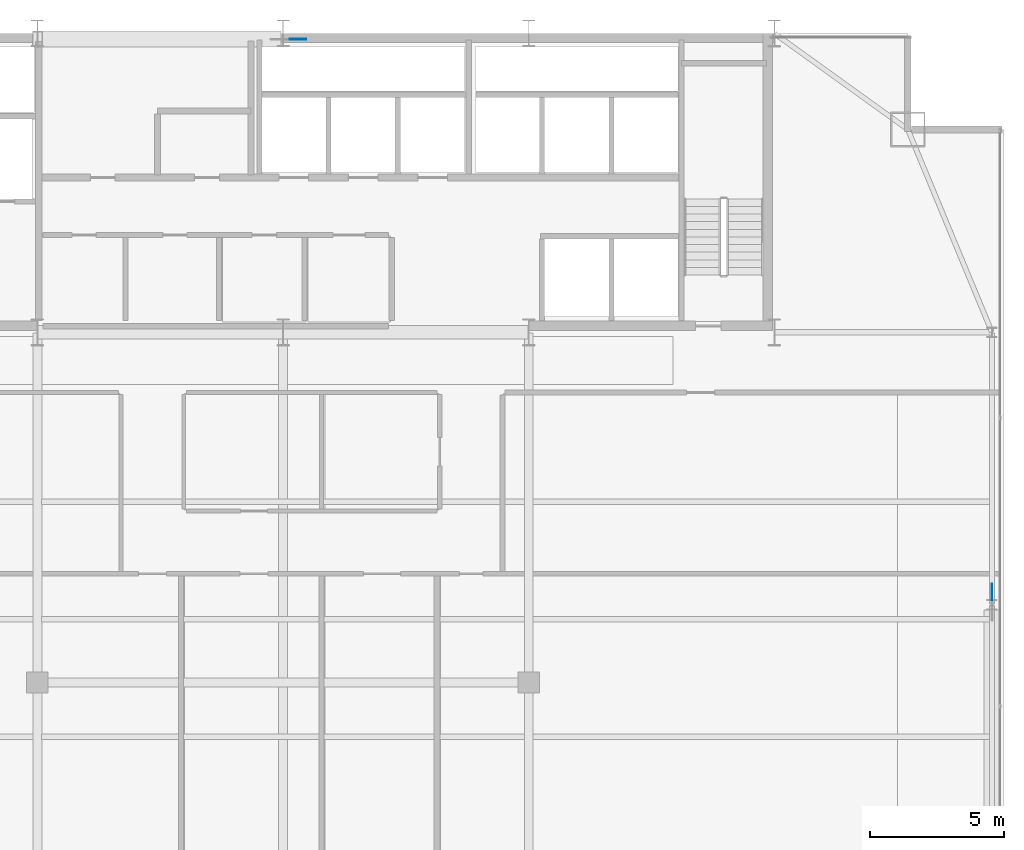
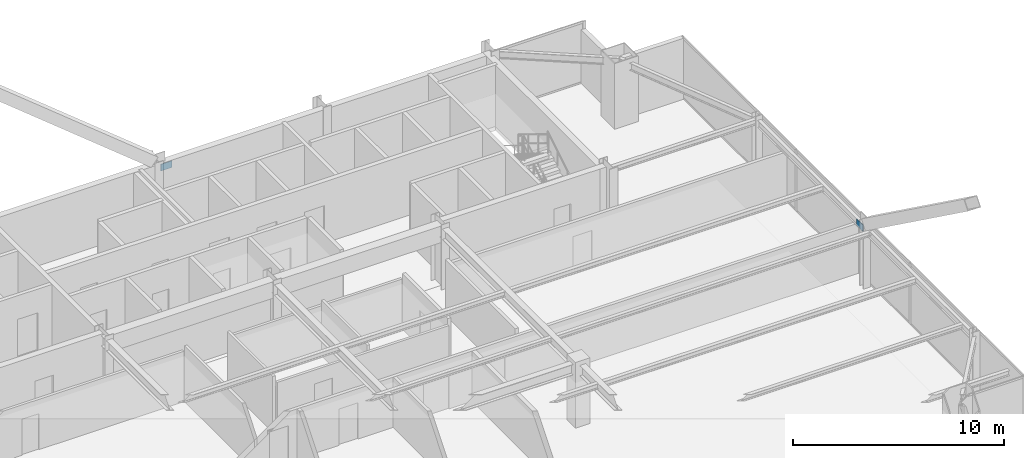
# One storey, part 27 of 32: 2 plates.
"""IFC4 building model written with IfcOpenShell, lengths in metres."""

from ifc_helpers import new_model, si_unit, direction, frame, origin, origin_2d, place, context, subcontext, project, spatial, rectangle, extrude, source, transform, mapped, material, layer, layer_set, type_object, type_shapes, element, save


model = new_model("IFC4")

# Units and contexts
model_context = context("Model", 3, precision=1e-05, world=origin(), true_north=direction((0.0, 1.0)))
body_context = subcontext(model_context, "Body", "Model", "MODEL_VIEW")
ifc_project = project(units=[si_unit("LENGTHUNIT", "METRE"), si_unit("AREAUNIT", "SQUARE_METRE"), si_unit("VOLUMEUNIT", "CUBIC_METRE"), si_unit("PLANEANGLEUNIT", "RADIAN"), si_unit("MASSUNIT", "GRAM", prefix="KILO")], contexts=[model_context])

# Site, building, storey
site_placement = place(None, origin())
site = spatial("IfcSite", under=ifc_project, at=site_placement, CompositionType="ELEMENT")
building_placement = place(site_placement, origin())
building = spatial("IfcBuilding", under=site, at=building_placement, Name="Varnel Quay Broadcast Tower", CompositionType="ELEMENT")
storey_placement = place(building_placement, frame((0.0, 0.0, 164.800048828125)))
storey = spatial("IfcBuildingStorey", under=building, at=storey_placement, Name="L40", CompositionType="ELEMENT", Elevation=164.800048828125)

# Plates
ifc_material = material(Name="Structural Steel CSA G40.21 350WT", Category="steel")
ifc_layer = layer(ifc_material, 0.031982421875, Name="Structural Steel CSA G40.21 350WT")
ifc_layer_set = layer_set([ifc_layer], Name="Structural Steel CSA G40.21 350WT")
plate_type = type_object("IfcPlateType", Name="Plate_EndCap", PredefinedType="USERDEFINED", material=ifc_layer_set)
shared_shape = source(origin(), body_context, "Body", "SweptSolid", [
    extrude(rectangle(XDim=0.6201171875, YDim=0.031982421875, at=origin_2d()), origin(), (0.0, 0.0, 1.0), 0.3798828125),
])
type_shapes(plate_type, [shared_shape])
for number, where, z_axis, x_axis, name in (
    (1, (34.552978515625, 46.580078125, 3.037109375), (0.0, 0.0, 1.0), (1.0, 0.0, 0.0), "Zone 3 Mega-Brace N-CT2 Diag B1 End Connection Plate P1"),
    (2, (60.550048828125, 25.8837890625, 3.0625), (0.0, 0.0, 1.0), (0.0, 1.0, 0.0), "Zone 3 Mega-Brace E-FT2 Diag B1 End Connection Plate P1"),
):
    element("IfcPlate", number, at=place(storey_placement, frame(where, z_axis=z_axis, x_axis=x_axis)), inside=storey, type_object=plate_type, Name=name, ObjectType="CAP_PLATE", PredefinedType="USERDEFINED", context=body_context, shape_type="MappedRepresentation", body=[
        mapped(shared_shape, transform((0.0, 0.0, 0.0), x_axis=(1.0, 0.0, 0.0), y_axis=(0.0, 1.0, 0.0), z_axis=(0.0, 0.0, 1.0), scale=1.0)),
    ])

save(model, "model.ifc")
